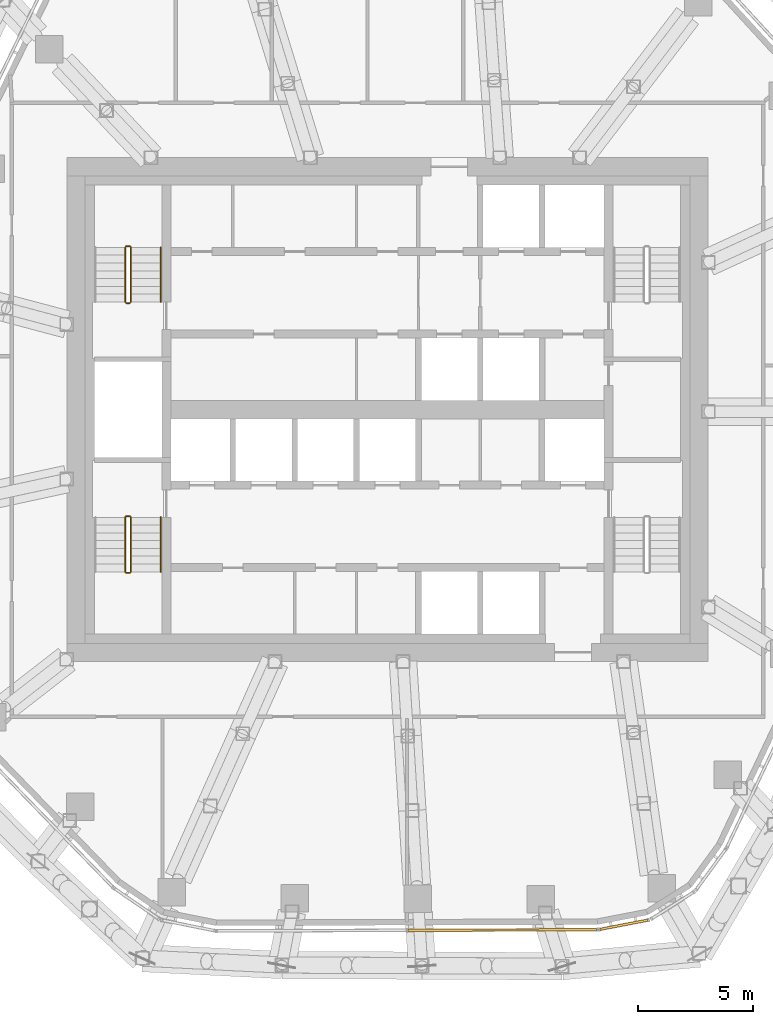
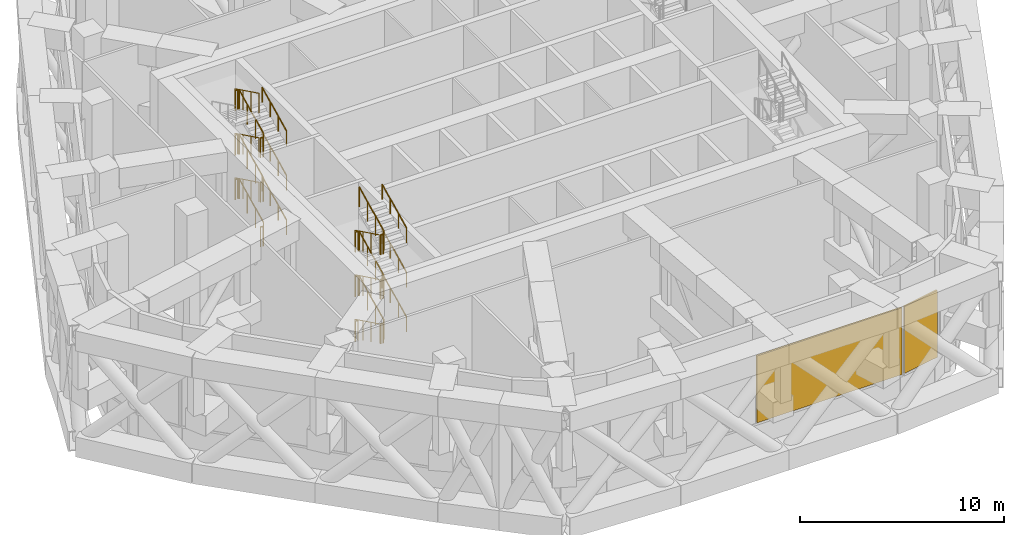
# One storey, part 19 of 21: 30 railings, 2 coverings, 2 elements without a shape of their own.
"""IFC4 building model written with IfcOpenShell, lengths in metres."""

from ifc_helpers import new_model, si_unit, direction, frame, origin, origin_2d, place, context, subcontext, project, spatial, rectangle, circle, extrude, material, layer, layer_set, type_object, element, aggregate, save


model = new_model("IFC4")

# Units and contexts
model_context = context("Model", 3, precision=1e-05, world=origin(), true_north=direction((0.0, 1.0)))
body_context = subcontext(model_context, "Body", "Model", "MODEL_VIEW")
ifc_project = project(units=[si_unit("LENGTHUNIT", "METRE"), si_unit("AREAUNIT", "SQUARE_METRE"), si_unit("VOLUMEUNIT", "CUBIC_METRE"), si_unit("PLANEANGLEUNIT", "RADIAN"), si_unit("MASSUNIT", "GRAM", prefix="KILO")], contexts=[model_context])

# Site, building, storey
site_placement = place(None, origin())
site = spatial("IfcSite", under=ifc_project, at=site_placement, CompositionType="ELEMENT")
building_placement = place(site_placement, origin())
building = spatial("IfcBuilding", under=site, at=building_placement, Name="Dongbaek Canopy Tower", CompositionType="ELEMENT")
storey_placement = place(building_placement, frame((0.0, 0.0, 220.60009765625)))
storey = spatial("IfcBuildingStorey", under=building, at=storey_placement, Name="L46", CompositionType="ELEMENT", Elevation=220.60009765625)

# Curtain wall, covering
ifc_material_1 = material(Name="Aluminium 6063-T6 pale anodised", Category="aluminium")
ifc_layer_1 = layer(ifc_material_1, 0.14990234375)
ifc_layer_set_1 = layer_set([ifc_layer_1], Name="CW-7 louvre curtain wall")
curtain_wall_type = type_object("IfcCurtainWallType", Name="CW-7 louvre curtain wall", PredefinedType="NOTDEFINED", material=ifc_layer_set_1)
curtain_wall_1_placement = place(storey_placement, origin())
curtain_wall_1 = element("IfcCurtainWall", 1, at=curtain_wall_1_placement, inside=storey, type_object=curtain_wall_type, Name="CW-7 louvre wall L46 F4", PredefinedType="NOTDEFINED")
ifc_material_2 = material(Name="Aluminium 6063-T6 pale metal louvre blades", Category="aluminium")
ifc_layer_2 = layer(ifc_material_2, 0.10009765625)
ifc_layer_set_2 = layer_set([ifc_layer_2], Name="Louvre LV bank 100 x 4000")
covering_type = type_object("IfcCoveringType", Name="Louvre LV bank 100 x 4000", PredefinedType="CLADDING", material=ifc_layer_set_2)
covering_1_placement = place(storey_placement, frame((5.00927734375, -22.7177734375, 1.77490234375), z_axis=(0.0, 0.0, 1.0), x_axis=(0.999995177758, 0.003105553262, 0.0)))
covering_1 = element("IfcCovering", 2, at=covering_1_placement, type_object=covering_type, Name="Louvre L46 F4.1.2", PredefinedType="CLADDING", context=body_context, shape_type="SweptSolid", body=[
    extrude(rectangle(XDim=8.225341796875, YDim=0.10009765625, at=origin_2d()), origin(), (0.0, 0.0, 1.0), 4.0),
])
aggregate(curtain_wall_1, [covering_1])

curtain_wall_2_placement = place(storey_placement, origin())
curtain_wall_2 = element("IfcCurtainWall", 3, at=curtain_wall_2_placement, inside=storey, type_object=curtain_wall_type, Name="CW-7 louvre wall L46 K5", PredefinedType="NOTDEFINED")
covering_2_placement = place(storey_placement, frame((10.31640625, -22.4892578125, 1.77490234375), z_axis=(0.0, 0.0, 1.0), x_axis=(0.981895731476, 0.189422207011, 0.0)))
covering_2 = element("IfcCovering", 4, at=covering_2_placement, type_object=covering_type, Name="Louvre L46 K5.1.1", PredefinedType="CLADDING", context=body_context, shape_type="SweptSolid", body=[
    extrude(rectangle(XDim=2.1181640625, YDim=0.10009765625, at=origin_2d()), origin(), (0.0, 0.0, 1.0), 4.0),
])
aggregate(curtain_wall_2, [covering_2])

# Railings
ifc_material_3 = material(Name="Stainless steel tube and balusters", Category="steel")
railing_type_1 = type_object("IfcRailingType", Name="Stair guard 1200", PredefinedType="GUARDRAIL", material=ifc_material_3)
railing_1_placement = place(storey_placement, frame((-11.199951171875, 4.699951171875, 0.16650390625)))
element("IfcRailing", 5, at=railing_1_placement, inside=storey, type_object=railing_type_1, Name="L46 ST-C stair guard 1", PredefinedType="GUARDRAIL", context=body_context, shape_type="SweptSolid", body=[
    extrude(circle(Radius=0.02392578125, at=origin_2d()), frame((0.0, 0.0, 1.17578125), z_axis=(0.0, 0.897917867668, 0.440163041295), x_axis=(-1.0, 0.0, 0.0)), (0.0, 0.0, 1.0), 2.650634765625),
    extrude(circle(Radius=0.02099609375, at=origin_2d()), origin(), (0.0, 0.0, 1.0), 1.15185546875),
    extrude(circle(Radius=0.02099609375, at=origin_2d()), frame((0.0, 0.79345703125, 0.388916015625)), (0.0, 0.0, 1.0), 1.15185546875),
    extrude(circle(Radius=0.02099609375, at=origin_2d()), frame((0.0, 1.586669921875, 0.77783203125)), (0.0, 0.0, 1.0), 1.15185546875),
    extrude(circle(Radius=0.02099609375, at=origin_2d()), frame((0.0, 2.380126953125, 1.166748046875)), (0.0, 0.0, 1.0), 1.15185546875),
])
railing_2_placement = place(storey_placement, frame((-11.25, 7.1298828125, 1.333251953125)))
element("IfcRailing", 6, at=railing_2_placement, inside=storey, type_object=railing_type_1, Name="L46 ST-C stair guard 2", PredefinedType="GUARDRAIL", context=body_context, shape_type="SweptSolid", body=[
    extrude(circle(Radius=0.02392578125, at=origin_2d()), frame((0.0, 0.0, 1.17578125), z_axis=(-1.0, 0.0, 0.0), x_axis=(0.0, -1.0, 0.0)), (0.0, 0.0, 1.0), 0.14990234375),
    extrude(circle(Radius=0.02099609375, at=origin_2d()), origin(), (0.0, 0.0, 1.0), 1.15185546875),
    extrude(circle(Radius=0.02099609375, at=origin_2d()), frame((-0.14990234375, 0.0, 0.0)), (0.0, 0.0, 1.0), 1.15185546875),
])
railing_3_placement = place(storey_placement, frame((-11.449951171875, 7.080078125, 1.5)))
element("IfcRailing", 7, at=railing_3_placement, inside=storey, type_object=railing_type_1, Name="L46 ST-C stair guard 3", PredefinedType="GUARDRAIL", context=body_context, shape_type="SweptSolid", body=[
    extrude(circle(Radius=0.02392578125, at=origin_2d()), frame((0.0, 0.0, 1.17578125), z_axis=(0.0, -0.897954268197, 0.440088777664), x_axis=(1.0, 0.0, 0.0)), (0.0, 0.0, 1.0), 2.650634765625),
    extrude(circle(Radius=0.02099609375, at=origin_2d()), origin(), (0.0, 0.0, 1.0), 1.15185546875),
    extrude(circle(Radius=0.02099609375, at=origin_2d()), frame((0.0, -0.79345703125, 0.388916015625)), (0.0, 0.0, 1.0), 1.15185546875),
    extrude(circle(Radius=0.02099609375, at=origin_2d()), frame((0.0, -1.586669921875, 0.777587890625)), (0.0, 0.0, 1.0), 1.15185546875),
    extrude(circle(Radius=0.02099609375, at=origin_2d()), frame((0.0, -2.380126953125, 1.16650390625)), (0.0, 0.0, 1.0), 1.15185546875),
])
railing_4_placement = place(storey_placement, frame((-11.25, 4.64990234375, 2.66650390625)))
element("IfcRailing", 8, at=railing_4_placement, inside=storey, type_object=railing_type_1, Name="L46 ST-C stair guard 4", PredefinedType="GUARDRAIL", context=body_context, shape_type="SweptSolid", body=[
    extrude(circle(Radius=0.02392578125, at=origin_2d()), frame((0.0, 0.0, 1.17578125), z_axis=(-1.0, 0.0, 0.0), x_axis=(0.0, -1.0, 0.0)), (0.0, 0.0, 1.0), 0.14990234375),
    extrude(circle(Radius=0.02099609375, at=origin_2d()), origin(), (0.0, 0.0, 1.0), 1.15185546875),
    extrude(circle(Radius=0.02099609375, at=origin_2d()), frame((-0.14990234375, 0.0, 0.0)), (0.0, 0.0, 1.0), 1.15185546875),
])
railing_5_placement = place(storey_placement, frame((-11.199951171875, 4.699951171875, 2.833251953125)))
element("IfcRailing", 9, at=railing_5_placement, inside=storey, type_object=railing_type_1, Name="L46 ST-C stair guard 5", PredefinedType="GUARDRAIL", context=body_context, shape_type="SweptSolid", body=[
    extrude(circle(Radius=0.02392578125, at=origin_2d()), frame((0.0, 0.0, 1.17578125), z_axis=(0.0, 0.897917867668, 0.440163041295), x_axis=(-1.0, 0.0, 0.0)), (0.0, 0.0, 1.0), 2.650634765625),
    extrude(circle(Radius=0.02099609375, at=origin_2d()), origin(), (0.0, 0.0, 1.0), 1.15185546875),
    extrude(circle(Radius=0.02099609375, at=origin_2d()), frame((0.0, 0.79345703125, 0.388916015625)), (0.0, 0.0, 1.0), 1.15185546875),
    extrude(circle(Radius=0.02099609375, at=origin_2d()), frame((0.0, 1.586669921875, 0.77783203125)), (0.0, 0.0, 1.0), 1.15185546875),
    extrude(circle(Radius=0.02099609375, at=origin_2d()), frame((0.0, 2.380126953125, 1.166748046875)), (0.0, 0.0, 1.0), 1.15185546875),
])
railing_6_placement = place(storey_placement, frame((-11.25, 7.1298828125, 4.0)))
element("IfcRailing", 10, at=railing_6_placement, inside=storey, type_object=railing_type_1, Name="L46 ST-C stair guard 6", PredefinedType="GUARDRAIL", context=body_context, shape_type="SweptSolid", body=[
    extrude(circle(Radius=0.02392578125, at=origin_2d()), frame((0.0, 0.0, 1.17578125), z_axis=(-1.0, 0.0, 0.0), x_axis=(0.0, -1.0, 0.0)), (0.0, 0.0, 1.0), 0.14990234375),
    extrude(circle(Radius=0.02099609375, at=origin_2d()), origin(), (0.0, 0.0, 1.0), 1.15185546875),
    extrude(circle(Radius=0.02099609375, at=origin_2d()), frame((-0.14990234375, 0.0, 0.0)), (0.0, 0.0, 1.0), 1.15185546875),
])
railing_7_placement = place(storey_placement, frame((-11.449951171875, 7.080078125, 4.16650390625)))
element("IfcRailing", 11, at=railing_7_placement, inside=storey, type_object=railing_type_1, Name="L46 ST-C stair guard 7", PredefinedType="GUARDRAIL", context=body_context, shape_type="SweptSolid", body=[
    extrude(circle(Radius=0.02392578125, at=origin_2d()), frame((0.0, 0.0, 1.17578125), z_axis=(0.0, -0.897917867668, 0.440163041295), x_axis=(1.0, 0.0, 0.0)), (0.0, 0.0, 1.0), 2.650634765625),
    extrude(circle(Radius=0.02099609375, at=origin_2d()), origin(), (0.0, 0.0, 1.0), 1.15185546875),
    extrude(circle(Radius=0.02099609375, at=origin_2d()), frame((0.0, -0.79345703125, 0.388916015625)), (0.0, 0.0, 1.0), 1.15185546875),
    extrude(circle(Radius=0.02099609375, at=origin_2d()), frame((0.0, -1.586669921875, 0.77783203125)), (0.0, 0.0, 1.0), 1.15185546875),
    extrude(circle(Radius=0.02099609375, at=origin_2d()), frame((0.0, -2.380126953125, 1.166748046875)), (0.0, 0.0, 1.0), 1.15185546875),
])
railing_8_placement = place(storey_placement, frame((-11.25, 4.64990234375, 5.333251953125)))
element("IfcRailing", 12, at=railing_8_placement, inside=storey, type_object=railing_type_1, Name="L46 ST-C stair guard 8", PredefinedType="GUARDRAIL", context=body_context, shape_type="SweptSolid", body=[
    extrude(circle(Radius=0.02392578125, at=origin_2d()), frame((0.0, 0.0, 1.17578125), z_axis=(-1.0, 0.0, 0.0), x_axis=(0.0, -1.0, 0.0)), (0.0, 0.0, 1.0), 0.14990234375),
    extrude(circle(Radius=0.02099609375, at=origin_2d()), origin(), (0.0, 0.0, 1.0), 1.15185546875),
    extrude(circle(Radius=0.02099609375, at=origin_2d()), frame((-0.14990234375, 0.0, 0.0)), (0.0, 0.0, 1.0), 1.15185546875),
])
railing_9_placement = place(storey_placement, frame((-11.199951171875, 4.699951171875, 5.5)))
element("IfcRailing", 13, at=railing_9_placement, inside=storey, type_object=railing_type_1, Name="L46 ST-C stair guard 9", PredefinedType="GUARDRAIL", context=body_context, shape_type="SweptSolid", body=[
    extrude(circle(Radius=0.02392578125, at=origin_2d()), frame((0.0, 0.0, 1.17578125), z_axis=(0.0, 0.897954268197, 0.440088777664), x_axis=(-1.0, 0.0, 0.0)), (0.0, 0.0, 1.0), 2.650634765625),
    extrude(circle(Radius=0.02099609375, at=origin_2d()), origin(), (0.0, 0.0, 1.0), 1.15185546875),
    extrude(circle(Radius=0.02099609375, at=origin_2d()), frame((0.0, 0.79345703125, 0.388916015625)), (0.0, 0.0, 1.0), 1.15185546875),
    extrude(circle(Radius=0.02099609375, at=origin_2d()), frame((0.0, 1.586669921875, 0.777587890625)), (0.0, 0.0, 1.0), 1.15185546875),
    extrude(circle(Radius=0.02099609375, at=origin_2d()), frame((0.0, 2.380126953125, 1.16650390625)), (0.0, 0.0, 1.0), 1.15185546875),
])
railing_10_placement = place(storey_placement, frame((-11.25, 7.1298828125, 6.66650390625)))
element("IfcRailing", 14, at=railing_10_placement, inside=storey, type_object=railing_type_1, Name="L46 ST-C stair guard 10", PredefinedType="GUARDRAIL", context=body_context, shape_type="SweptSolid", body=[
    extrude(circle(Radius=0.02392578125, at=origin_2d()), frame((0.0, 0.0, 1.17578125), z_axis=(-1.0, 0.0, 0.0), x_axis=(0.0, -1.0, 0.0)), (0.0, 0.0, 1.0), 0.14990234375),
    extrude(circle(Radius=0.02099609375, at=origin_2d()), origin(), (0.0, 0.0, 1.0), 1.15185546875),
    extrude(circle(Radius=0.02099609375, at=origin_2d()), frame((-0.14990234375, 0.0, 0.0)), (0.0, 0.0, 1.0), 1.15185546875),
])
railing_11_placement = place(storey_placement, frame((-11.449951171875, 7.080078125, 6.833251953125)))
element("IfcRailing", 15, at=railing_11_placement, inside=storey, type_object=railing_type_1, Name="L46 ST-C stair guard 11", PredefinedType="GUARDRAIL", context=body_context, shape_type="SweptSolid", body=[
    extrude(circle(Radius=0.02392578125, at=origin_2d()), frame((0.0, 0.0, 1.17578125), z_axis=(0.0, -0.897917867668, 0.440163041295), x_axis=(1.0, 0.0, 0.0)), (0.0, 0.0, 1.0), 2.650634765625),
    extrude(circle(Radius=0.02099609375, at=origin_2d()), origin(), (0.0, 0.0, 1.0), 1.15185546875),
    extrude(circle(Radius=0.02099609375, at=origin_2d()), frame((0.0, -0.79345703125, 0.388916015625)), (0.0, 0.0, 1.0), 1.15185546875),
    extrude(circle(Radius=0.02099609375, at=origin_2d()), frame((0.0, -1.586669921875, 0.77783203125)), (0.0, 0.0, 1.0), 1.15185546875),
    extrude(circle(Radius=0.02099609375, at=origin_2d()), frame((0.0, -2.380126953125, 1.166748046875)), (0.0, 0.0, 1.0), 1.15185546875),
])
railing_12_placement = place(storey_placement, frame((-11.25, 4.64990234375, 0.0)))
element("IfcRailing", 16, at=railing_12_placement, inside=storey, type_object=railing_type_1, Name="L46 ST-C stair guard 12", PredefinedType="GUARDRAIL", context=body_context, shape_type="SweptSolid", body=[
    extrude(circle(Radius=0.02392578125, at=origin_2d()), frame((0.0, 0.0, 1.17578125), z_axis=(-1.0, 0.0, 0.0), x_axis=(0.0, -1.0, 0.0)), (0.0, 0.0, 1.0), 0.14990234375),
    extrude(circle(Radius=0.02099609375, at=origin_2d()), origin(), (0.0, 0.0, 1.0), 1.15185546875),
    extrude(circle(Radius=0.02099609375, at=origin_2d()), frame((-0.14990234375, 0.0, 0.0)), (0.0, 0.0, 1.0), 1.15185546875),
])
railing_13_placement = place(storey_placement, frame((-11.449951171875, -4.699951171875, 0.16650390625)))
element("IfcRailing", 17, at=railing_13_placement, inside=storey, type_object=railing_type_1, Name="L46 ST-D stair guard 1", PredefinedType="GUARDRAIL", context=body_context, shape_type="SweptSolid", body=[
    extrude(circle(Radius=0.02392578125, at=origin_2d()), frame((0.0, 0.0, 1.17578125), z_axis=(0.0, -0.897917867668, 0.440163041295), x_axis=(1.0, 0.0, 0.0)), (0.0, 0.0, 1.0), 2.650634765625),
    extrude(circle(Radius=0.02099609375, at=origin_2d()), origin(), (0.0, 0.0, 1.0), 1.15185546875),
    extrude(circle(Radius=0.02099609375, at=origin_2d()), frame((0.0, -0.79345703125, 0.388916015625)), (0.0, 0.0, 1.0), 1.15185546875),
    extrude(circle(Radius=0.02099609375, at=origin_2d()), frame((0.0, -1.586669921875, 0.77783203125)), (0.0, 0.0, 1.0), 1.15185546875),
    extrude(circle(Radius=0.02099609375, at=origin_2d()), frame((0.0, -2.380126953125, 1.166748046875)), (0.0, 0.0, 1.0), 1.15185546875),
])
railing_14_placement = place(storey_placement, frame((-11.39990234375, -7.1298828125, 1.333251953125)))
element("IfcRailing", 18, at=railing_14_placement, inside=storey, type_object=railing_type_1, Name="L46 ST-D stair guard 2", PredefinedType="GUARDRAIL", context=body_context, shape_type="SweptSolid", body=[
    extrude(circle(Radius=0.02392578125, at=origin_2d()), frame((0.0, 0.0, 1.17578125), z_axis=(1.0, 0.0, 0.0), x_axis=(0.0, 1.0, 0.0)), (0.0, 0.0, 1.0), 0.14990234375),
    extrude(circle(Radius=0.02099609375, at=origin_2d()), origin(), (0.0, 0.0, 1.0), 1.15185546875),
    extrude(circle(Radius=0.02099609375, at=origin_2d()), frame((0.14990234375, 0.0, 0.0)), (0.0, 0.0, 1.0), 1.15185546875),
])
railing_15_placement = place(storey_placement, frame((-11.199951171875, -7.080078125, 1.5)))
element("IfcRailing", 19, at=railing_15_placement, inside=storey, type_object=railing_type_1, Name="L46 ST-D stair guard 3", PredefinedType="GUARDRAIL", context=body_context, shape_type="SweptSolid", body=[
    extrude(circle(Radius=0.02392578125, at=origin_2d()), frame((0.0, 0.0, 1.17578125), z_axis=(0.0, 0.897954268197, 0.440088777664), x_axis=(-1.0, 0.0, 0.0)), (0.0, 0.0, 1.0), 2.650634765625),
    extrude(circle(Radius=0.02099609375, at=origin_2d()), origin(), (0.0, 0.0, 1.0), 1.15185546875),
    extrude(circle(Radius=0.02099609375, at=origin_2d()), frame((0.0, 0.79345703125, 0.388916015625)), (0.0, 0.0, 1.0), 1.15185546875),
    extrude(circle(Radius=0.02099609375, at=origin_2d()), frame((0.0, 1.586669921875, 0.777587890625)), (0.0, 0.0, 1.0), 1.15185546875),
    extrude(circle(Radius=0.02099609375, at=origin_2d()), frame((0.0, 2.380126953125, 1.16650390625)), (0.0, 0.0, 1.0), 1.15185546875),
])
railing_16_placement = place(storey_placement, frame((-11.39990234375, -4.64990234375, 2.66650390625)))
element("IfcRailing", 20, at=railing_16_placement, inside=storey, type_object=railing_type_1, Name="L46 ST-D stair guard 4", PredefinedType="GUARDRAIL", context=body_context, shape_type="SweptSolid", body=[
    extrude(circle(Radius=0.02392578125, at=origin_2d()), frame((0.0, 0.0, 1.17578125), z_axis=(1.0, 0.0, 0.0), x_axis=(0.0, 1.0, 0.0)), (0.0, 0.0, 1.0), 0.14990234375),
    extrude(circle(Radius=0.02099609375, at=origin_2d()), origin(), (0.0, 0.0, 1.0), 1.15185546875),
    extrude(circle(Radius=0.02099609375, at=origin_2d()), frame((0.14990234375, 0.0, 0.0)), (0.0, 0.0, 1.0), 1.15185546875),
])
railing_17_placement = place(storey_placement, frame((-11.449951171875, -4.699951171875, 2.833251953125)))
element("IfcRailing", 21, at=railing_17_placement, inside=storey, type_object=railing_type_1, Name="L46 ST-D stair guard 5", PredefinedType="GUARDRAIL", context=body_context, shape_type="SweptSolid", body=[
    extrude(circle(Radius=0.02392578125, at=origin_2d()), frame((0.0, 0.0, 1.17578125), z_axis=(0.0, -0.897917867668, 0.440163041295), x_axis=(1.0, 0.0, 0.0)), (0.0, 0.0, 1.0), 2.650634765625),
    extrude(circle(Radius=0.02099609375, at=origin_2d()), origin(), (0.0, 0.0, 1.0), 1.15185546875),
    extrude(circle(Radius=0.02099609375, at=origin_2d()), frame((0.0, -0.79345703125, 0.388916015625)), (0.0, 0.0, 1.0), 1.15185546875),
    extrude(circle(Radius=0.02099609375, at=origin_2d()), frame((0.0, -1.586669921875, 0.77783203125)), (0.0, 0.0, 1.0), 1.15185546875),
    extrude(circle(Radius=0.02099609375, at=origin_2d()), frame((0.0, -2.380126953125, 1.166748046875)), (0.0, 0.0, 1.0), 1.15185546875),
])
railing_18_placement = place(storey_placement, frame((-11.39990234375, -7.1298828125, 4.0)))
element("IfcRailing", 22, at=railing_18_placement, inside=storey, type_object=railing_type_1, Name="L46 ST-D stair guard 6", PredefinedType="GUARDRAIL", context=body_context, shape_type="SweptSolid", body=[
    extrude(circle(Radius=0.02392578125, at=origin_2d()), frame((0.0, 0.0, 1.17578125), z_axis=(1.0, 0.0, 0.0), x_axis=(0.0, 1.0, 0.0)), (0.0, 0.0, 1.0), 0.14990234375),
    extrude(circle(Radius=0.02099609375, at=origin_2d()), origin(), (0.0, 0.0, 1.0), 1.15185546875),
    extrude(circle(Radius=0.02099609375, at=origin_2d()), frame((0.14990234375, 0.0, 0.0)), (0.0, 0.0, 1.0), 1.15185546875),
])
railing_19_placement = place(storey_placement, frame((-11.199951171875, -7.080078125, 4.16650390625)))
element("IfcRailing", 23, at=railing_19_placement, inside=storey, type_object=railing_type_1, Name="L46 ST-D stair guard 7", PredefinedType="GUARDRAIL", context=body_context, shape_type="SweptSolid", body=[
    extrude(circle(Radius=0.02392578125, at=origin_2d()), frame((0.0, 0.0, 1.17578125), z_axis=(0.0, 0.897917867668, 0.440163041295), x_axis=(-1.0, 0.0, 0.0)), (0.0, 0.0, 1.0), 2.650634765625),
    extrude(circle(Radius=0.02099609375, at=origin_2d()), origin(), (0.0, 0.0, 1.0), 1.15185546875),
    extrude(circle(Radius=0.02099609375, at=origin_2d()), frame((0.0, 0.79345703125, 0.388916015625)), (0.0, 0.0, 1.0), 1.15185546875),
    extrude(circle(Radius=0.02099609375, at=origin_2d()), frame((0.0, 1.586669921875, 0.77783203125)), (0.0, 0.0, 1.0), 1.15185546875),
    extrude(circle(Radius=0.02099609375, at=origin_2d()), frame((0.0, 2.380126953125, 1.166748046875)), (0.0, 0.0, 1.0), 1.15185546875),
])
railing_20_placement = place(storey_placement, frame((-11.39990234375, -4.64990234375, 5.333251953125)))
element("IfcRailing", 24, at=railing_20_placement, inside=storey, type_object=railing_type_1, Name="L46 ST-D stair guard 8", PredefinedType="GUARDRAIL", context=body_context, shape_type="SweptSolid", body=[
    extrude(circle(Radius=0.02392578125, at=origin_2d()), frame((0.0, 0.0, 1.17578125), z_axis=(1.0, 0.0, 0.0), x_axis=(0.0, 1.0, 0.0)), (0.0, 0.0, 1.0), 0.14990234375),
    extrude(circle(Radius=0.02099609375, at=origin_2d()), origin(), (0.0, 0.0, 1.0), 1.15185546875),
    extrude(circle(Radius=0.02099609375, at=origin_2d()), frame((0.14990234375, 0.0, 0.0)), (0.0, 0.0, 1.0), 1.15185546875),
])
railing_21_placement = place(storey_placement, frame((-11.449951171875, -4.699951171875, 5.5)))
element("IfcRailing", 25, at=railing_21_placement, inside=storey, type_object=railing_type_1, Name="L46 ST-D stair guard 9", PredefinedType="GUARDRAIL", context=body_context, shape_type="SweptSolid", body=[
    extrude(circle(Radius=0.02392578125, at=origin_2d()), frame((0.0, 0.0, 1.17578125), z_axis=(0.0, -0.897954268197, 0.440088777664), x_axis=(1.0, 0.0, 0.0)), (0.0, 0.0, 1.0), 2.650634765625),
    extrude(circle(Radius=0.02099609375, at=origin_2d()), origin(), (0.0, 0.0, 1.0), 1.15185546875),
    extrude(circle(Radius=0.02099609375, at=origin_2d()), frame((0.0, -0.79345703125, 0.388916015625)), (0.0, 0.0, 1.0), 1.15185546875),
    extrude(circle(Radius=0.02099609375, at=origin_2d()), frame((0.0, -1.586669921875, 0.777587890625)), (0.0, 0.0, 1.0), 1.15185546875),
    extrude(circle(Radius=0.02099609375, at=origin_2d()), frame((0.0, -2.380126953125, 1.16650390625)), (0.0, 0.0, 1.0), 1.15185546875),
])
railing_22_placement = place(storey_placement, frame((-11.39990234375, -7.1298828125, 6.66650390625)))
element("IfcRailing", 26, at=railing_22_placement, inside=storey, type_object=railing_type_1, Name="L46 ST-D stair guard 10", PredefinedType="GUARDRAIL", context=body_context, shape_type="SweptSolid", body=[
    extrude(circle(Radius=0.02392578125, at=origin_2d()), frame((0.0, 0.0, 1.17578125), z_axis=(1.0, 0.0, 0.0), x_axis=(0.0, 1.0, 0.0)), (0.0, 0.0, 1.0), 0.14990234375),
    extrude(circle(Radius=0.02099609375, at=origin_2d()), origin(), (0.0, 0.0, 1.0), 1.15185546875),
    extrude(circle(Radius=0.02099609375, at=origin_2d()), frame((0.14990234375, 0.0, 0.0)), (0.0, 0.0, 1.0), 1.15185546875),
])
railing_23_placement = place(storey_placement, frame((-11.199951171875, -7.080078125, 6.833251953125)))
element("IfcRailing", 27, at=railing_23_placement, inside=storey, type_object=railing_type_1, Name="L46 ST-D stair guard 11", PredefinedType="GUARDRAIL", context=body_context, shape_type="SweptSolid", body=[
    extrude(circle(Radius=0.02392578125, at=origin_2d()), frame((0.0, 0.0, 1.17578125), z_axis=(0.0, 0.897917867668, 0.440163041295), x_axis=(-1.0, 0.0, 0.0)), (0.0, 0.0, 1.0), 2.650634765625),
    extrude(circle(Radius=0.02099609375, at=origin_2d()), origin(), (0.0, 0.0, 1.0), 1.15185546875),
    extrude(circle(Radius=0.02099609375, at=origin_2d()), frame((0.0, 0.79345703125, 0.388916015625)), (0.0, 0.0, 1.0), 1.15185546875),
    extrude(circle(Radius=0.02099609375, at=origin_2d()), frame((0.0, 1.586669921875, 0.77783203125)), (0.0, 0.0, 1.0), 1.15185546875),
    extrude(circle(Radius=0.02099609375, at=origin_2d()), frame((0.0, 2.380126953125, 1.166748046875)), (0.0, 0.0, 1.0), 1.15185546875),
])
railing_24_placement = place(storey_placement, frame((-11.39990234375, -4.64990234375, 0.0)))
element("IfcRailing", 28, at=railing_24_placement, inside=storey, type_object=railing_type_1, Name="L46 ST-D stair guard 12", PredefinedType="GUARDRAIL", context=body_context, shape_type="SweptSolid", body=[
    extrude(circle(Radius=0.02392578125, at=origin_2d()), frame((0.0, 0.0, 1.17578125), z_axis=(1.0, 0.0, 0.0), x_axis=(0.0, 1.0, 0.0)), (0.0, 0.0, 1.0), 0.14990234375),
    extrude(circle(Radius=0.02099609375, at=origin_2d()), origin(), (0.0, 0.0, 1.0), 1.15185546875),
    extrude(circle(Radius=0.02099609375, at=origin_2d()), frame((0.14990234375, 0.0, 0.0)), (0.0, 0.0, 1.0), 1.15185546875),
])
ifc_material_4 = material(Name="Stainless steel tube", Category="steel")
railing_type_2 = type_object("IfcRailingType", Name="Stair handrail 900", PredefinedType="HANDRAIL", material=ifc_material_4)
for number, where, name in (
    (29, (-9.89990234375, 4.699951171875, 0.16650390625), "L46 ST-C stair handrail 1"),
    (30, (-9.89990234375, 4.699951171875, 2.833251953125), "L46 ST-C stair handrail 3"),
):
    element("IfcRailing", number, at=place(storey_placement, frame(where)), inside=storey, type_object=railing_type_2, Name=name, PredefinedType="HANDRAIL", context=body_context, shape_type="SweptSolid", body=[
        extrude(circle(Radius=0.02392578125, at=origin_2d()), frame((0.0, 0.0, 0.8759765625), z_axis=(0.0, 0.897917867668, 0.440163041295), x_axis=(-1.0, 0.0, 0.0)), (0.0, 0.0, 1.0), 2.650634765625),
        extrude(circle(Radius=0.02099609375, at=origin_2d()), origin(), (0.0, 0.0, 1.0), 0.851806640625),
        extrude(circle(Radius=0.02099609375, at=origin_2d()), frame((0.0, 0.79345703125, 0.388916015625)), (0.0, 0.0, 1.0), 0.851806640625),
        extrude(circle(Radius=0.02099609375, at=origin_2d()), frame((0.0, 1.586669921875, 0.77783203125)), (0.0, 0.0, 1.0), 0.851806640625),
        extrude(circle(Radius=0.02099609375, at=origin_2d()), frame((0.0, 2.380126953125, 1.166748046875)), (0.0, 0.0, 1.0), 0.851806640625),
    ])
for number, where, name in (
    (31, (-9.89990234375, 4.699951171875, 5.5), "L46 ST-C stair handrail 5"),
    (32, (-9.89990234375, -7.080078125, 1.5), "L46 ST-D stair handrail 2"),
):
    element("IfcRailing", number, at=place(storey_placement, frame(where)), inside=storey, type_object=railing_type_2, Name=name, PredefinedType="HANDRAIL", context=body_context, shape_type="SweptSolid", body=[
        extrude(circle(Radius=0.02392578125, at=origin_2d()), frame((0.0, 0.0, 0.8759765625), z_axis=(0.0, 0.897954268197, 0.440088777664), x_axis=(-1.0, 0.0, 0.0)), (0.0, 0.0, 1.0), 2.650634765625),
        extrude(circle(Radius=0.02099609375, at=origin_2d()), origin(), (0.0, 0.0, 1.0), 0.851806640625),
        extrude(circle(Radius=0.02099609375, at=origin_2d()), frame((0.0, 0.79345703125, 0.388916015625)), (0.0, 0.0, 1.0), 0.851806640625),
        extrude(circle(Radius=0.02099609375, at=origin_2d()), frame((0.0, 1.586669921875, 0.777587890625)), (0.0, 0.0, 1.0), 0.851806640625),
        extrude(circle(Radius=0.02099609375, at=origin_2d()), frame((0.0, 2.380126953125, 1.16650390625)), (0.0, 0.0, 1.0), 0.851806640625),
    ])
for number, where, name in (
    (33, (-9.89990234375, -7.080078125, 4.16650390625), "L46 ST-D stair handrail 4"),
    (34, (-9.89990234375, -7.080078125, 6.833251953125), "L46 ST-D stair handrail 6"),
):
    element("IfcRailing", number, at=place(storey_placement, frame(where)), inside=storey, type_object=railing_type_2, Name=name, PredefinedType="HANDRAIL", context=body_context, shape_type="SweptSolid", body=[
        extrude(circle(Radius=0.02392578125, at=origin_2d()), frame((0.0, 0.0, 0.8759765625), z_axis=(0.0, 0.897917867668, 0.440163041295), x_axis=(-1.0, 0.0, 0.0)), (0.0, 0.0, 1.0), 2.650634765625),
        extrude(circle(Radius=0.02099609375, at=origin_2d()), origin(), (0.0, 0.0, 1.0), 0.851806640625),
        extrude(circle(Radius=0.02099609375, at=origin_2d()), frame((0.0, 0.79345703125, 0.388916015625)), (0.0, 0.0, 1.0), 0.851806640625),
        extrude(circle(Radius=0.02099609375, at=origin_2d()), frame((0.0, 1.586669921875, 0.77783203125)), (0.0, 0.0, 1.0), 0.851806640625),
        extrude(circle(Radius=0.02099609375, at=origin_2d()), frame((0.0, 2.380126953125, 1.166748046875)), (0.0, 0.0, 1.0), 0.851806640625),
    ])

save(model, "model.ifc")
